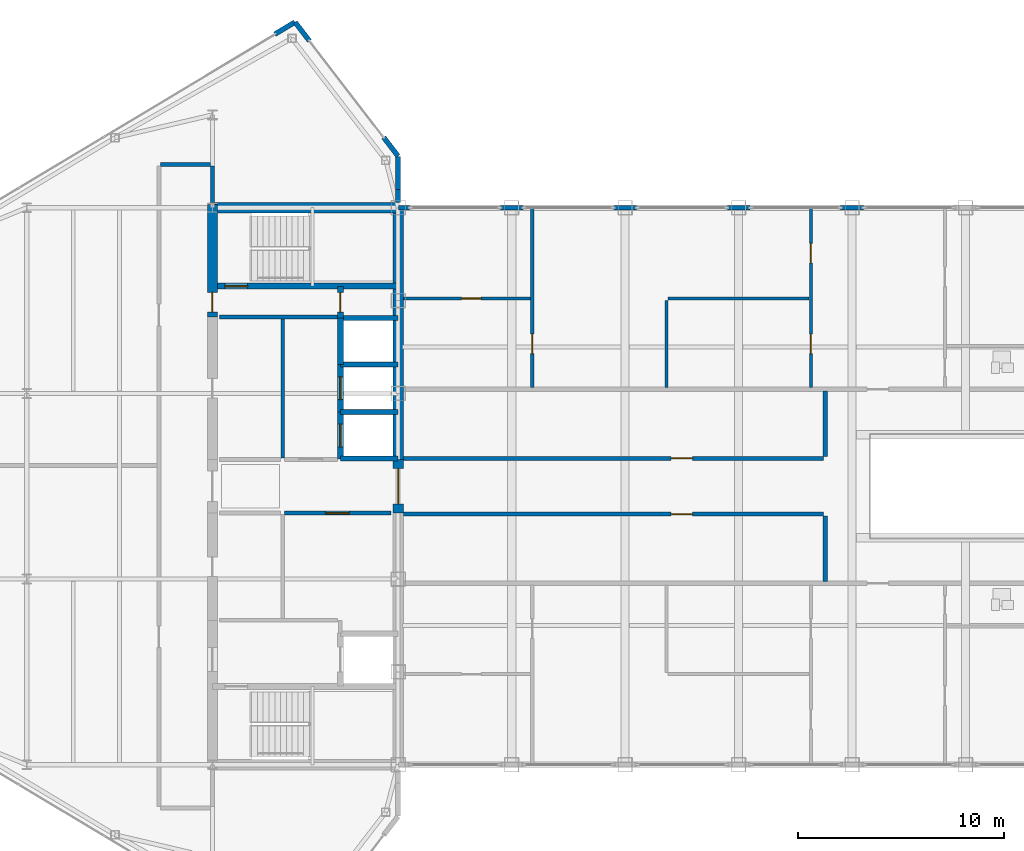
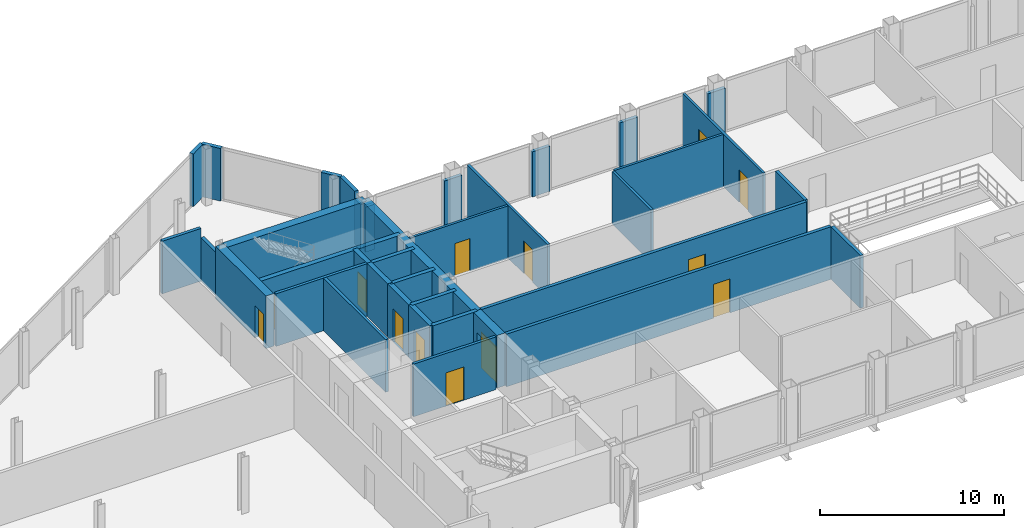
# One storey, part 22 of 28: 37 walls, 13 doors, 13 openings.
"""IFC4 building model written with IfcOpenShell, lengths in metres."""

from ifc_helpers import new_model, si_unit, direction, frame, frame_2d, origin, place, context, subcontext, project, spatial, rectangle, extrude, source, transform, mapped, material, layer, layer_set, type_object, type_shapes, element, fill, save


model = new_model("IFC4")

# Units and contexts
model_context = context("Model", 3, precision=1e-05, world=origin(), true_north=direction((0.0, 1.0)))
body_context = subcontext(model_context, "Body", "Model", "MODEL_VIEW")
ifc_project = project(units=[si_unit("LENGTHUNIT", "METRE"), si_unit("AREAUNIT", "SQUARE_METRE"), si_unit("VOLUMEUNIT", "CUBIC_METRE"), si_unit("PLANEANGLEUNIT", "RADIAN"), si_unit("MASSUNIT", "GRAM", prefix="KILO")], contexts=[model_context])

# Site, building, storey
site_placement = place(None, origin())
site = spatial("IfcSite", under=ifc_project, at=site_placement, CompositionType="ELEMENT")
building_placement = place(site_placement, origin())
building = spatial("IfcBuilding", under=site, at=building_placement, Name="Seokmaru Belvedere", CompositionType="ELEMENT")
storey_placement = place(building_placement, frame((0.0, 0.0, 265.64990234375)))
storey = spatial("IfcBuildingStorey", under=building, at=storey_placement, Name="L70", CompositionType="ELEMENT", Elevation=265.64990234375)

# Wall, opening, door
ifc_material_1 = material(Name="Fire-Rated Gypsum Shaftwall")
ifc_layer_1 = layer(ifc_material_1, 0.14990234375)
ifc_layer_set_1 = layer_set([ifc_layer_1], Name="Fire-Rated Gypsum Shaftwall")
wall_type_1 = type_object("IfcWallType", Name="Apartment Fire-Acoustic Room Partition 150", PredefinedType="PARTITIONING", material=ifc_layer_set_1)
wall_1_placement = place(storey_placement, frame((-27.2451171875, 9.10009765625, 0.0), z_axis=(0.0, 0.0, 1.0), x_axis=(1.0, 0.0, 0.0)))
wall_1 = element("IfcWall", 1, at=wall_1_placement, inside=storey, type_object=wall_type_1, Name="L70 Interior Partition 021", PredefinedType="PARTITIONING", context=body_context, shape_type="SweptSolid", body=[
    extrude(rectangle(XDim=6.16015625, YDim=0.14990234375, at=frame_2d((3.080078125, 0.0))), origin(), (0.0, 0.0, 1.0), 3.489990234375),
])
opening_1_placement = place(wall_1_placement, frame((2.820068359375, 0.0, 0.0)))
opening_1 = element("IfcOpeningElement", 2, at=opening_1_placement, cuts=wall_1, Name="Opening D05", PredefinedType="OPENING", context=body_context, shape_type="SweptSolid", body=[
    extrude(rectangle(XDim=0.949951171875, YDim=2.14990234375, at=frame_2d((0.47509765625, 1.074951171875))), frame((0.0, 0.0849609375, 0.0), z_axis=(0.0, -1.0, 0.0), x_axis=(1.0, 0.0, 0.0)), (0.0, 0.0, 1.0), 0.169921875),
])
ifc_material_2 = material(Name="Engineered White Oak Timber", Category="wood")
door_type_1 = type_object("IfcDoorType", Name="Apartment Interior Fire-Rated Oak Door 950x2150", OperationType="NOTDEFINED", PredefinedType="DOOR", material=ifc_material_2)
shared_shape_1 = source(origin(), body_context, "Body", "SweptSolid", [
    extrude(rectangle(XDim=0.949951171875, YDim=2.14990234375, at=frame_2d((0.47509765625, 1.074951171875))), frame((0.0, 0.02490234375, 0.0), z_axis=(0.0, -1.0, 0.0), x_axis=(1.0, 0.0, 0.0)), (0.0, 0.0, 1.0), 0.050048828125),
])
type_shapes(door_type_1, [shared_shape_1])
door_1_placement = place(opening_1_placement, origin())
door_1 = element("IfcDoor", 3, at=door_1_placement, inside=storey, type_object=door_type_1, Name="L70 Interior Door 035", OperationType="SINGLE_SWING_RIGHT", OverallHeight=2.14990234375, OverallWidth=0.949951171875, PredefinedType="DOOR", context=body_context, shape_type="MappedRepresentation", body=[
    mapped(shared_shape_1, transform((0.0, 0.0, 0.0), scale=1.0)),
])
fill(opening_1, door_1)

# Wall
wall_2_placement = place(storey_placement, frame((-14.4150390625, 9.10009765625, 0.0), z_axis=(0.0, 0.0, 1.0), x_axis=(1.0, 0.0, 0.0)))
element("IfcWall", 4, at=wall_2_placement, inside=storey, type_object=wall_type_1, Name="L70 Interior Partition 022", PredefinedType="PARTITIONING", context=body_context, shape_type="SweptSolid", body=[
    extrude(rectangle(XDim=6.830078125, YDim=0.14990234375, at=frame_2d((3.4150390625, 0.0))), origin(), (0.0, 0.0, 1.0), 3.489990234375),
])

# Wall, opening, door
wall_3_placement = place(storey_placement, frame((-21.0, 4.784912109375, 0.0), z_axis=(0.0, 0.0, 1.0), x_axis=(0.0, 1.0, 0.0)))
wall_3 = element("IfcWall", 5, at=wall_3_placement, inside=storey, type_object=wall_type_1, Name="L70 Interior Partition 030", PredefinedType="PARTITIONING", context=body_context, shape_type="SweptSolid", body=[
    extrude(rectangle(XDim=8.715087890625, YDim=0.14990234375, at=frame_2d((4.357421875, 0.0))), origin(), (0.0, 0.0, 1.0), 3.489990234375),
])
opening_2_placement = place(wall_3_placement, frame((1.639892578125, 0.0, 0.0)))
opening_2 = element("IfcOpeningElement", 6, at=opening_2_placement, cuts=wall_3, Name="Opening D05", PredefinedType="OPENING", context=body_context, shape_type="SweptSolid", body=[
    extrude(rectangle(XDim=0.949951171875, YDim=2.14990234375, at=frame_2d((0.47509765625, 1.074951171875))), frame((0.0, 0.0849609375, 0.0), z_axis=(0.0, -1.0, 0.0), x_axis=(1.0, 0.0, 0.0)), (0.0, 0.0, 1.0), 0.169921875),
])
door_2_placement = place(opening_2_placement, origin())
door_2 = element("IfcDoor", 7, at=door_2_placement, inside=storey, type_object=door_type_1, Name="L70 Interior Door 034", OperationType="SINGLE_SWING_LEFT", OverallHeight=2.14990234375, OverallWidth=0.949951171875, PredefinedType="DOOR", context=body_context, shape_type="MappedRepresentation", body=[
    mapped(shared_shape_1, transform((0.0, 0.0, 0.0), scale=1.0)),
])
fill(opening_2, door_2)

# Wall
wall_4_placement = place(storey_placement, frame((-14.5, 4.784912109375, 0.0), z_axis=(0.0, 0.0, 1.0), x_axis=(0.0, 1.0, 0.0)))
element("IfcWall", 8, at=wall_4_placement, inside=storey, type_object=wall_type_1, Name="L70 Interior Partition 032", PredefinedType="PARTITIONING", context=body_context, shape_type="SweptSolid", body=[
    extrude(rectangle(XDim=4.22998046875, YDim=0.14990234375, at=frame_2d((2.114990234375, 0.0))), origin(), (0.0, 0.0, 1.0), 3.489990234375),
])

# Wall, openings, doors
wall_5_placement = place(storey_placement, frame((-7.5, 4.784912109375, 0.0), z_axis=(0.0, 0.0, 1.0), x_axis=(0.0, 1.0, 0.0)))
wall_5 = element("IfcWall", 9, at=wall_5_placement, inside=storey, type_object=wall_type_1, Name="L70 Interior Partition 034", PredefinedType="PARTITIONING", context=body_context, shape_type="SweptSolid", body=[
    extrude(rectangle(XDim=8.715087890625, YDim=0.14990234375, at=frame_2d((4.357421875, 0.0))), origin(), (0.0, 0.0, 1.0), 3.489990234375),
])
opening_3_placement = place(wall_5_placement, frame((1.639892578125, 0.0, 0.0)))
opening_3 = element("IfcOpeningElement", 10, at=opening_3_placement, cuts=wall_5, Name="Opening D05", PredefinedType="OPENING", context=body_context, shape_type="SweptSolid", body=[
    extrude(rectangle(XDim=0.949951171875, YDim=2.14990234375, at=frame_2d((0.47509765625, 1.074951171875))), frame((0.0, 0.0849609375, 0.0), z_axis=(0.0, -1.0, 0.0), x_axis=(1.0, 0.0, 0.0)), (0.0, 0.0, 1.0), 0.169921875),
])
opening_4_placement = place(wall_5_placement, frame((6.0400390625, 0.0, 0.0)))
opening_4 = element("IfcOpeningElement", 11, at=opening_4_placement, cuts=wall_5, Name="Opening D05", PredefinedType="OPENING", context=body_context, shape_type="SweptSolid", body=[
    extrude(rectangle(XDim=0.949951171875, YDim=2.14990234375, at=frame_2d((0.47509765625, 1.074951171875))), frame((0.0, 0.0849609375, 0.0), z_axis=(0.0, -1.0, 0.0), x_axis=(1.0, 0.0, 0.0)), (0.0, 0.0, 1.0), 0.169921875),
])
door_3_placement = place(opening_3_placement, origin())
door_3 = element("IfcDoor", 12, at=door_3_placement, inside=storey, type_object=door_type_1, Name="L70 Interior Door 032", OperationType="SINGLE_SWING_LEFT", OverallHeight=2.14990234375, OverallWidth=0.949951171875, PredefinedType="DOOR", context=body_context, shape_type="MappedRepresentation", body=[
    mapped(shared_shape_1, transform((0.0, 0.0, 0.0), scale=1.0)),
])
fill(opening_3, door_3)
door_4_placement = place(opening_4_placement, origin())
door_4 = element("IfcDoor", 13, at=door_4_placement, inside=storey, type_object=door_type_1, Name="L70 Interior Door 033", OperationType="SINGLE_SWING_RIGHT", OverallHeight=2.14990234375, OverallWidth=0.949951171875, PredefinedType="DOOR", context=body_context, shape_type="MappedRepresentation", body=[
    mapped(shared_shape_1, transform((0.0, 0.0, 0.0), scale=1.0)),
])
fill(opening_4, door_4)

# Walls
ifc_material_3 = material(Name="Anodised Bronze Aluminium", Category="aluminium")
ifc_layer_2 = layer(ifc_material_3, 0.2099609375)
ifc_layer_set_2 = layer_set([ifc_layer_2], Name="Anodised Bronze Aluminium")
wall_type_2 = type_object("IfcWallType", Name="Bridge Column Spandrel Closure Pier 210", PredefinedType="SOLIDWALL", material=ifc_layer_set_2)
wall_6_placement = place(storey_placement, frame((-27.489990234375, 13.5, 0.0), z_axis=(0.0, 0.0, 1.0), x_axis=(1.0, 0.0, 0.0)))
element("IfcWall", 14, at=wall_6_placement, inside=storey, type_object=wall_type_2, Name="L70 Bridge North Column Closure Pier 01", PredefinedType="SOLIDWALL", context=body_context, shape_type="SweptSolid", body=[
    extrude(rectangle(XDim=0.5400390625, YDim=0.2099609375, at=frame_2d((0.27001953125, 0.0))), origin(), (0.0, 0.0, 1.0), 2.989990234375),
])
for number, where, z_axis, x_axis, name in (
    (15, (-22.550048828125, 13.5, 0.0), (0.0, 0.0, 1.0), (1.0, 0.0, 0.0), "L70 Bridge North Column Closure Pier 02"),
    (16, (-17.050048828125, 13.5, 0.0), (0.0, 0.0, 1.0), (1.0, 0.0, 0.0), "L70 Bridge North Column Closure Pier 03"),
    (17, (-11.550048828125, 13.5, 0.0), (0.0, 0.0, 1.0), (1.0, 0.0, 0.0), "L70 Bridge North Column Closure Pier 04"),
    (18, (-6.050048828125, 13.5, 0.0), (0.0, 0.0, 1.0), (1.0, 0.0, 0.0), "L70 Bridge North Column Closure Pier 05"),
):
    element("IfcWall", number, at=place(storey_placement, frame(where, z_axis=z_axis, x_axis=x_axis)), inside=storey, type_object=wall_type_2, Name=name, PredefinedType="SOLIDWALL", context=body_context, shape_type="SweptSolid", body=[
        extrude(rectangle(XDim=1.10009765625, YDim=0.2099609375, at=frame_2d((0.550048828125, 0.0))), origin(), (0.0, 0.0, 1.0), 2.989990234375),
    ])
ifc_layer_3 = layer(ifc_material_1, 0.179931640625)
ifc_layer_set_3 = layer_set([ifc_layer_3], Name="Fire-Rated Gypsum Shaftwall")
wall_type_3 = type_object("IfcWallType", Name="Core Service Fire Partition 180", PredefinedType="PARTITIONING", material=ifc_layer_set_3)
wall_7_placement = place(storey_placement, frame((-36.14990234375, 8.199951171875, 0.0), z_axis=(0.0, 0.0, 1.0), x_axis=(1.0, 0.0, 0.0)))
element("IfcWall", 19, at=wall_7_placement, inside=storey, type_object=wall_type_3, Name="L70 West Smokeproof Vestibule Partition", PredefinedType="PARTITIONING", context=body_context, shape_type="SweptSolid", body=[
    extrude(rectangle(XDim=5.699951171875, YDim=0.179931640625, at=frame_2d((2.85009765625, 0.0))), origin(), (0.0, 0.0, 1.0), 3.489990234375),
])
wall_8_placement = place(storey_placement, frame((-33.10009765625, 1.3798828125, 0.0), z_axis=(0.0, 0.0, 1.0), x_axis=(0.0, 1.0, 0.0)))
element("IfcWall", 20, at=wall_8_placement, inside=storey, type_object=wall_type_3, Name="L70 West North Core Service Back Wall", PredefinedType="PARTITIONING", context=body_context, shape_type="SweptSolid", body=[
    extrude(rectangle(XDim=6.740234375, YDim=0.179931640625, at=frame_2d((3.3701171875, 0.0))), origin(), (0.0, 0.0, 1.0), 3.489990234375),
])

# Wall, opening, door
wall_9_placement = place(storey_placement, frame((-33.02001953125, -1.300048828125, 0.0), z_axis=(0.0, 0.0, 1.0), x_axis=(1.0, 0.0, 0.0)))
wall_9 = element("IfcWall", 21, at=wall_9_placement, inside=storey, type_object=wall_type_3, Name="L70 West South Lift Lobby Foyer Wall", PredefinedType="PARTITIONING", context=body_context, shape_type="SweptSolid", body=[
    extrude(rectangle(XDim=5.169921875, YDim=0.179931640625, at=frame_2d((2.5849609375, 0.0))), origin(), (0.0, 0.0, 1.0), 3.489990234375),
])
opening_5_placement = place(wall_9_placement, frame((2.010009765625, 0.0, 0.0)))
opening_5 = element("IfcOpeningElement", 22, at=opening_5_placement, cuts=wall_9, Name="Opening D02", PredefinedType="OPENING", context=body_context, shape_type="SweptSolid", body=[
    extrude(rectangle(XDim=1.14990234375, YDim=2.199951171875, at=frame_2d((0.574951171875, 1.10009765625))), frame((0.0, 0.10009765625, 0.0), z_axis=(0.0, -1.0, 0.0), x_axis=(1.0, 0.0, 0.0)), (0.0, 0.0, 1.0), 0.199951171875),
])
ifc_material_4 = material(Name="Fire-Rated Steel Leaf", Category="steel")
door_type_2 = type_object("IfcDoorType", Name="Lobby and Vestibule Fire Door 1150x2200", OperationType="NOTDEFINED", PredefinedType="DOOR", material=ifc_material_4)
shared_shape_2 = source(origin(), body_context, "Body", "SweptSolid", [
    extrude(rectangle(XDim=1.14990234375, YDim=2.199951171875, at=frame_2d((0.574951171875, 1.10009765625))), frame((0.0, 0.02490234375, 0.0), z_axis=(0.0, -1.0, 0.0), x_axis=(1.0, 0.0, 0.0)), (0.0, 0.0, 1.0), 0.050048828125),
])
type_shapes(door_type_2, [shared_shape_2])
door_5_placement = place(opening_5_placement, origin())
door_5 = element("IfcDoor", 23, at=door_5_placement, inside=storey, type_object=door_type_2, Name="L70 West South Core Foyer Door", OperationType="SINGLE_SWING_LEFT", OverallHeight=2.199951171875, OverallWidth=1.14990234375, PredefinedType="DOOR", context=body_context, shape_type="MappedRepresentation", body=[
    mapped(shared_shape_2, transform((0.0, 0.0, 0.0), scale=1.0)),
])
fill(opening_5, door_5)

# Walls
ifc_material_5 = material(Name="Concrete C50 (50 MPa)", Category="concrete")
ifc_layer_4 = layer(ifc_material_5, 0.25)
ifc_layer_set_4 = layer_set([ifc_layer_4], Name="Concrete C50 (50 MPa)")
wall_type_4 = type_object("IfcWallType", Name="Hoistway Transverse Concrete Divider Wall 250", PredefinedType="SHEAR", material=ifc_layer_set_4)
for number, where, z_axis, x_axis, name in (
    (24, (-30.300048828125, 1.35009765625, 0.0), (0.0, 0.0, 1.0), (1.0, 0.0, 0.0), "L70 West Hoistway Divider Core Wall 2"),
    (25, (-30.300048828125, 3.60009765625, 0.0), (0.0, 0.0, 1.0), (1.0, 0.0, 0.0), "L70 West Hoistway Divider Core Wall 3"),
    (26, (-30.300048828125, 5.89990234375, 0.0), (0.0, 0.0, 1.0), (1.0, 0.0, 0.0), "L70 West Hoistway Divider Core Wall 4"),
    (27, (-30.300048828125, 8.14990234375, 0.0), (0.0, 0.0, 1.0), (1.0, 0.0, 0.0), "L70 West Hoistway Divider Core Wall 5"),
):
    element("IfcWall", number, at=place(storey_placement, frame(where, z_axis=z_axis, x_axis=x_axis)), inside=storey, type_object=wall_type_4, Name=name, PredefinedType="SHEAR", context=body_context, shape_type="SweptSolid", body=[
        extrude(rectangle(XDim=2.800048828125, YDim=0.25, at=frame_2d((1.39990234375, 0.0))), origin(), (0.0, 0.0, 1.0), 3.489990234375),
    ])

# Wall, opening, door
ifc_layer_5 = layer(ifc_material_1, 0.199951171875)
ifc_layer_set_5 = layer_set([ifc_layer_5], Name="Fire-Rated Gypsum Shaftwall")
wall_type_5 = type_object("IfcWallType", Name="Inter-Tenancy Fire Compartment Partition 200", PredefinedType="PARTITIONING", material=ifc_layer_set_5)
wall_10_placement = place(storey_placement, frame((-27.2451171875, -1.35009765625, 0.0), z_axis=(0.0, 0.0, 1.0), x_axis=(1.0, 0.0, 0.0)))
wall_10 = element("IfcWall", 28, at=wall_10_placement, inside=storey, type_object=wall_type_5, Name="L70 Interior Partition 011", PredefinedType="PARTITIONING", context=body_context, shape_type="SweptSolid", body=[
    extrude(rectangle(XDim=20.360107421875, YDim=0.199951171875, at=frame_2d((10.18017578125, 0.0))), origin(), (0.0, 0.0, 1.0), 3.489990234375),
])
opening_6_placement = place(wall_10_placement, frame((12.969970703125, 0.0, 0.0)))
opening_6 = element("IfcOpeningElement", 29, at=opening_6_placement, cuts=wall_10, Name="Opening D03", PredefinedType="OPENING", context=body_context, shape_type="SweptSolid", body=[
    extrude(rectangle(XDim=1.050048828125, YDim=2.25, at=frame_2d((0.52490234375, 1.125))), frame((0.0, 0.10986328125, 0.0), z_axis=(0.0, -1.0, 0.0), x_axis=(1.0, 0.0, 0.0)), (0.0, 0.0, 1.0), 0.219970703125),
])
door_type_3 = type_object("IfcDoorType", Name="Apartment Entrance Fire Door 1050x2250", OperationType="NOTDEFINED", PredefinedType="DOOR", material=ifc_material_4)
shared_shape_3 = source(origin(), body_context, "Body", "SweptSolid", [
    extrude(rectangle(XDim=1.050048828125, YDim=2.25, at=frame_2d((0.52490234375, 1.125))), frame((0.0, 0.02490234375, 0.0), z_axis=(0.0, -1.0, 0.0), x_axis=(1.0, 0.0, 0.0)), (0.0, 0.0, 1.0), 0.050048828125),
])
type_shapes(door_type_3, [shared_shape_3])
door_6_placement = place(opening_6_placement, origin())
door_6 = element("IfcDoor", 30, at=door_6_placement, inside=storey, type_object=door_type_3, Name="L70 Interior Door 014", OperationType="SINGLE_SWING_LEFT", OverallHeight=2.25, OverallWidth=1.050048828125, PredefinedType="DOOR", context=body_context, shape_type="MappedRepresentation", body=[
    mapped(shared_shape_3, transform((0.0, 0.0, 0.0), scale=1.0)),
])
fill(opening_6, door_6)

wall_11_placement = place(storey_placement, frame((-27.2451171875, 1.35009765625, 0.0), z_axis=(0.0, 0.0, 1.0), x_axis=(1.0, 0.0, 0.0)))
wall_11 = element("IfcWall", 31, at=wall_11_placement, inside=storey, type_object=wall_type_5, Name="L70 Interior Partition 016", PredefinedType="PARTITIONING", context=body_context, shape_type="SweptSolid", body=[
    extrude(rectangle(XDim=20.360107421875, YDim=0.199951171875, at=frame_2d((10.18017578125, 0.0))), origin(), (0.0, 0.0, 1.0), 3.489990234375),
])
opening_7_placement = place(wall_11_placement, frame((12.969970703125, 0.0, 0.0)))
opening_7 = element("IfcOpeningElement", 32, at=opening_7_placement, cuts=wall_11, Name="Opening D03", PredefinedType="OPENING", context=body_context, shape_type="SweptSolid", body=[
    extrude(rectangle(XDim=1.050048828125, YDim=2.25, at=frame_2d((0.52490234375, 1.125))), frame((0.0, 0.10986328125, 0.0), z_axis=(0.0, -1.0, 0.0), x_axis=(1.0, 0.0, 0.0)), (0.0, 0.0, 1.0), 0.219970703125),
])
door_7_placement = place(opening_7_placement, origin())
door_7 = element("IfcDoor", 33, at=door_7_placement, inside=storey, type_object=door_type_3, Name="L70 Interior Door 016", OperationType="SINGLE_SWING_RIGHT", OverallHeight=2.25, OverallWidth=1.050048828125, PredefinedType="DOOR", context=body_context, shape_type="MappedRepresentation", body=[
    mapped(shared_shape_3, transform((0.0, 0.0, 0.0), scale=1.0)),
])
fill(opening_7, door_7)

# Walls
wall_12_placement = place(storey_placement, frame((-39.014892578125, 15.60009765625, 0.0), z_axis=(0.0, 0.0, 1.0), x_axis=(1.0, 0.0, 0.0)))
element("IfcWall", 34, at=wall_12_placement, inside=storey, type_object=wall_type_5, Name="L70 Interior Partition 024", PredefinedType="PARTITIONING", context=body_context, shape_type="SweptSolid", body=[
    extrude(rectangle(XDim=2.429931640625, YDim=0.199951171875, at=frame_2d((1.21484375, 0.0))), origin(), (0.0, 0.0, 1.0), 3.489990234375),
])
wall_13_placement = place(storey_placement, frame((-36.5, 13.7548828125, 0.0), z_axis=(0.0, 0.0, 1.0), x_axis=(0.0, 1.0, 0.0)))
element("IfcWall", 35, at=wall_13_placement, inside=storey, type_object=wall_type_5, Name="L70 Interior Partition 028", PredefinedType="PARTITIONING", context=body_context, shape_type="SweptSolid", body=[
    extrude(rectangle(XDim=1.760009765625, YDim=0.199951171875, at=frame_2d((0.8798828125, 0.0))), origin(), (0.0, 0.0, 1.0), 2.89013671875),
])
for number, where, z_axis, x_axis, name in (
    (36, (-6.800048828125, -4.614990234375, 0.0), (0.0, 0.0, 1.0), (0.0, 1.0, 0.0), "L70 Interior Partition 035"),
    (37, (-6.800048828125, 1.43505859375, 0.0), (0.0, 0.0, 1.0), (0.0, 1.0, 0.0), "L70 Interior Partition 036"),
):
    element("IfcWall", number, at=place(storey_placement, frame(where, z_axis=z_axis, x_axis=x_axis)), inside=storey, type_object=wall_type_5, Name=name, PredefinedType="PARTITIONING", context=body_context, shape_type="SweptSolid", body=[
        extrude(rectangle(XDim=3.179931640625, YDim=0.199951171875, at=frame_2d((1.58984375, 0.0))), origin(), (0.0, 0.0, 1.0), 3.489990234375),
    ])

# Wall, opening, door
ifc_layer_6 = layer(ifc_material_5, 0.300048828125)
ifc_layer_set_6 = layer_set([ifc_layer_6], Name="Concrete C50 (50 MPa)")
wall_type_6 = type_object("IfcWallType", Name="Internal Core Stair and Hoistway Wall 300", PredefinedType="SHEAR", material=ifc_layer_set_6)
wall_14_placement = place(storey_placement, frame((-36.5, 9.699951171875, 0.0), z_axis=(0.0, 0.0, 1.0), x_axis=(1.0, 0.0, 0.0)))
wall_14 = element("IfcWall", 38, at=wall_14_placement, inside=storey, type_object=wall_type_6, Name="L70 West Stair ST-2 Enclosure Wall", PredefinedType="SHEAR", context=body_context, shape_type="SweptSolid", body=[
    extrude(rectangle(XDim=9.0, YDim=0.300048828125, at=frame_2d((4.5, 0.0))), origin(), (0.0, 0.0, 1.0), 3.489990234375),
])
opening_8_placement = place(wall_14_placement, frame((0.60009765625, 0.0, 0.0)))
opening_8 = element("IfcOpeningElement", 39, at=opening_8_placement, cuts=wall_14, Name="Opening D01", PredefinedType="OPENING", context=body_context, shape_type="SweptSolid", body=[
    extrude(rectangle(XDim=1.10009765625, YDim=2.199951171875, at=frame_2d((0.550048828125, 1.10009765625))), frame((0.0, 0.16015625, 0.0), z_axis=(0.0, -1.0, 0.0), x_axis=(1.0, 0.0, 0.0)), (0.0, 0.0, 1.0), 0.320068359375),
])
door_type_4 = type_object("IfcDoorType", Name="Special Escape Stair Smokeproof Fire Door 1100x2200", OperationType="NOTDEFINED", PredefinedType="DOOR", material=ifc_material_4)
shared_shape_4 = source(origin(), body_context, "Body", "SweptSolid", [
    extrude(rectangle(XDim=1.10009765625, YDim=2.199951171875, at=frame_2d((0.550048828125, 1.10009765625))), frame((0.0, 0.02490234375, 0.0), z_axis=(0.0, -1.0, 0.0), x_axis=(1.0, 0.0, 0.0)), (0.0, 0.0, 1.0), 0.050048828125),
])
type_shapes(door_type_4, [shared_shape_4])
door_8_placement = place(opening_8_placement, origin())
door_8 = element("IfcDoor", 40, at=door_8_placement, inside=storey, type_object=door_type_4, Name="L70 West Special Escape Stair ST-2 Door", OperationType="SINGLE_SWING_RIGHT", OverallHeight=2.199951171875, OverallWidth=1.10009765625, PredefinedType="DOOR", context=body_context, shape_type="MappedRepresentation", body=[
    mapped(shared_shape_4, transform((0.0, 0.0, 0.0), scale=1.0)),
])
fill(opening_8, door_8)

wall_15_placement = place(storey_placement, frame((-30.300048828125, 1.320068359375, 0.0), z_axis=(0.0, 0.0, 1.0), x_axis=(0.0, 1.0, 0.0)))
wall_15 = element("IfcWall", 41, at=wall_15_placement, inside=storey, type_object=wall_type_6, Name="L70 West North Hoistway Wall PH1", PredefinedType="SHEAR", context=body_context, shape_type="SweptSolid", body=[
    extrude(rectangle(XDim=2.280029296875, YDim=0.300048828125, at=frame_2d((1.14013671875, 0.0))), origin(), (0.0, 0.0, 1.0), 3.489990234375),
])
opening_9_placement = place(wall_15_placement, frame((0.590087890625, 0.0, 0.0)))
opening_9 = element("IfcOpeningElement", 42, at=opening_9_placement, cuts=wall_15, Name="Opening LD1", PredefinedType="OPENING", context=body_context, shape_type="SweptSolid", body=[
    extrude(rectangle(XDim=1.10009765625, YDim=2.199951171875, at=frame_2d((0.550048828125, 1.10009765625))), frame((0.0, 0.16015625, 0.0), z_axis=(0.0, -1.0, 0.0), x_axis=(1.0, 0.0, 0.0)), (0.0, 0.0, 1.0), 0.320068359375),
])
ifc_material_6 = material(Name="Stainless Steel 316", Category="steel")
door_type_5 = type_object("IfcDoorType", Name="Passenger Lift Sliding Landing Door 1100x2200", OperationType="DOUBLE_DOOR_SLIDING", PredefinedType="DOOR", material=ifc_material_6)
shared_shape_5 = source(origin(), body_context, "Body", "SweptSolid", [
    extrude(rectangle(XDim=1.10009765625, YDim=2.199951171875, at=frame_2d((0.550048828125, 1.10009765625))), frame((0.0, 0.02490234375, 0.0), z_axis=(0.0, -1.0, 0.0), x_axis=(1.0, 0.0, 0.0)), (0.0, 0.0, 1.0), 0.050048828125),
])
type_shapes(door_type_5, [shared_shape_5])
door_9_placement = place(opening_9_placement, origin())
door_9 = element("IfcDoor", 43, at=door_9_placement, inside=storey, type_object=door_type_5, Name="L70 West High-Rise Lift PH-1 Landing Door", OperationType="DOUBLE_DOOR_SLIDING", OverallHeight=2.199951171875, OverallWidth=1.10009765625, PredefinedType="DOOR", context=body_context, shape_type="MappedRepresentation", body=[
    mapped(shared_shape_5, transform((0.0, 0.0, 0.0), scale=1.0)),
])
fill(opening_9, door_9)

wall_16_placement = place(storey_placement, frame((-30.300048828125, 3.60009765625, 0.0), z_axis=(0.0, 0.0, 1.0), x_axis=(0.0, 1.0, 0.0)))
wall_16 = element("IfcWall", 44, at=wall_16_placement, inside=storey, type_object=wall_type_6, Name="L70 West North Hoistway Wall PH2", PredefinedType="SHEAR", context=body_context, shape_type="SweptSolid", body=[
    extrude(rectangle(XDim=2.2998046875, YDim=0.300048828125, at=frame_2d((1.14990234375, 0.0))), origin(), (0.0, 0.0, 1.0), 3.489990234375),
])
opening_10_placement = place(wall_16_placement, frame((0.60009765625, 0.0, 0.0)))
opening_10 = element("IfcOpeningElement", 45, at=opening_10_placement, cuts=wall_16, Name="Opening LD1", PredefinedType="OPENING", context=body_context, shape_type="SweptSolid", body=[
    extrude(rectangle(XDim=1.10009765625, YDim=2.199951171875, at=frame_2d((0.550048828125, 1.10009765625))), frame((0.0, 0.16015625, 0.0), z_axis=(0.0, -1.0, 0.0), x_axis=(1.0, 0.0, 0.0)), (0.0, 0.0, 1.0), 0.320068359375),
])
door_10_placement = place(opening_10_placement, origin())
door_10 = element("IfcDoor", 46, at=door_10_placement, inside=storey, type_object=door_type_5, Name="L70 West High-Rise Lift PH-2 Landing Door", OperationType="DOUBLE_DOOR_SLIDING", OverallHeight=2.199951171875, OverallWidth=1.10009765625, PredefinedType="DOOR", context=body_context, shape_type="MappedRepresentation", body=[
    mapped(shared_shape_5, transform((0.0, 0.0, 0.0), scale=1.0)),
])
fill(opening_10, door_10)

# Wall
wall_17_placement = place(storey_placement, frame((-30.300048828125, 5.89990234375, 0.0), z_axis=(0.0, 0.0, 1.0), x_axis=(0.0, 1.0, 0.0)))
element("IfcWall", 47, at=wall_17_placement, inside=storey, type_object=wall_type_6, Name="L70 West North Hoistway Wall OBS", PredefinedType="SHEAR", context=body_context, shape_type="SweptSolid", body=[
    extrude(rectangle(XDim=2.25, YDim=0.300048828125, at=frame_2d((1.125, 0.0))), origin(), (0.0, 0.0, 1.0), 3.489990234375),
])

# Wall, opening, door
wall_18_placement = place(storey_placement, frame((-30.300048828125, 8.14990234375, 0.0), z_axis=(0.0, 0.0, 1.0), x_axis=(0.0, 1.0, 0.0)))
wall_18 = element("IfcWall", 48, at=wall_18_placement, inside=storey, type_object=wall_type_6, Name="L70 West Electrical Riser Front Wall", PredefinedType="SHEAR", context=body_context, shape_type="SweptSolid", body=[
    extrude(rectangle(XDim=1.530029296875, YDim=0.300048828125, at=frame_2d((0.76513671875, 0.0))), origin(), (0.0, 0.0, 1.0), 3.489990234375),
])
opening_11_placement = place(wall_18_placement, frame((0.284912109375, 0.0, 0.0)))
opening_11 = element("IfcOpeningElement", 49, at=opening_11_placement, cuts=wall_18, Name="Opening D04", PredefinedType="OPENING", context=body_context, shape_type="SweptSolid", body=[
    extrude(rectangle(XDim=0.949951171875, YDim=2.14990234375, at=frame_2d((0.47509765625, 1.074951171875))), frame((0.0, 0.16015625, 0.0), z_axis=(0.0, -1.0, 0.0), x_axis=(1.0, 0.0, 0.0)), (0.0, 0.0, 1.0), 0.320068359375),
])
door_type_6 = type_object("IfcDoorType", Name="Core Service Room Fire Door 950x2150", OperationType="NOTDEFINED", PredefinedType="DOOR", material=ifc_material_4)
shared_shape_6 = source(origin(), body_context, "Body", "SweptSolid", [
    extrude(rectangle(XDim=0.949951171875, YDim=2.14990234375, at=frame_2d((0.47509765625, 1.074951171875))), frame((0.0, 0.02490234375, 0.0), z_axis=(0.0, -1.0, 0.0), x_axis=(1.0, 0.0, 0.0)), (0.0, 0.0, 1.0), 0.050048828125),
])
type_shapes(door_type_6, [shared_shape_6])
door_11_placement = place(opening_11_placement, origin())
door_11 = element("IfcDoor", 50, at=door_11_placement, inside=storey, type_object=door_type_6, Name="L70 West Electrical Riser Access Door", OperationType="SINGLE_SWING_LEFT", OverallHeight=2.14990234375, OverallWidth=0.949951171875, PredefinedType="DOOR", context=body_context, shape_type="MappedRepresentation", body=[
    mapped(shared_shape_6, transform((0.0, 0.0, 0.0), scale=1.0)),
])
fill(opening_11, door_11)

# Walls
ifc_layer_7 = layer(ifc_material_3, 0.239990234375)
ifc_layer_set_7 = layer_set([ifc_layer_7], Name="Anodised Bronze Aluminium")
wall_type_7 = type_object("IfcWallType", Name="Tower Corner Spandrel Closure Wall 240", PredefinedType="SOLIDWALL", material=ifc_layer_set_7)
wall_19_placement = place(storey_placement, frame((-27.5, 13.7548828125, 0.0), z_axis=(0.0, 0.0, 1.0), x_axis=(0.0, 1.0, 0.0)))
element("IfcWall", 51, at=wall_19_placement, inside=storey, type_object=wall_type_7, Name="L70 W Shoulder Closure Wall 2", PredefinedType="SOLIDWALL", context=body_context, shape_type="SweptSolid", body=[
    extrude(rectangle(XDim=0.619873046875, YDim=0.239990234375, at=frame_2d((0.31005859375, 0.0))), origin(), (0.0, 0.0, 1.0), 2.989990234375),
])
wall_20_placement = place(storey_placement, frame((-27.5, 14.374755859375, 0.0), z_axis=(0.0, 0.0, 1.0), x_axis=(0.0, 1.0, 0.0)))
element("IfcWall", 52, at=wall_20_placement, inside=storey, type_object=wall_type_7, Name="L70 W Shoulder Closure Wall 2 Part 2", PredefinedType="SOLIDWALL", context=body_context, shape_type="SweptSolid", body=[
    extrude(rectangle(XDim=1.605224609375, YDim=0.239990234375, at=frame_2d((0.802734375, 0.0))), origin(), (0.0, 0.0, 1.0), 3.489990234375),
])
for number, where, z_axis, x_axis, name in (
    (53, (-27.506103515625, 16.0078125, 0.0), (0.0, 0.0, 1.0), (-0.609617623633, 0.792695624408, 0.0), "L70 W Corner Closure Pier 2A"),
    (54, (-31.798828125, 21.58837890625, 0.0), (0.0, 0.0, 1.0), (-0.609617623633, 0.792695624408, 0.0), "L70 W Corner Closure Pier 2B"),
    (55, (-32.508544921875, 22.494873046875, 0.0), (0.0, 0.0, 1.0), (-0.85743623509, -0.514590228002, 0.0), "L70 W Corner Closure Pier 3A"),
):
    element("IfcWall", number, at=place(storey_placement, frame(where, z_axis=z_axis, x_axis=x_axis)), inside=storey, type_object=wall_type_7, Name=name, PredefinedType="SOLIDWALL", context=body_context, shape_type="SweptSolid", body=[
        extrude(rectangle(XDim=1.14013671875, YDim=0.239990234375, at=frame_2d((0.570068359375, 0.0))), origin(), (0.0, 0.0, 1.0), 3.489990234375),
    ])
ifc_layer_8 = layer(ifc_material_5, 0.5)
ifc_layer_set_8 = layer_set([ifc_layer_8], Name="Concrete C50 (50 MPa)")
wall_type_8 = type_object("IfcWallType", Name="Upper Tower Reinforced Concrete Core Wall 500", PredefinedType="SHEAR", material=ifc_layer_set_8)
wall_21_placement = place(storey_placement, frame((-27.5, 1.300048828125, 0.0), z_axis=(0.0, 0.0, 1.0), x_axis=(0.0, 1.0, 0.0)))
element("IfcWall", 56, at=wall_21_placement, inside=storey, type_object=wall_type_8, Name="L70 West Portal Spine Core Wall North", PredefinedType="SHEAR", context=body_context, shape_type="SweptSolid", body=[
    extrude(rectangle(XDim=12.199951171875, YDim=0.5, at=frame_2d((6.10009765625, 0.0))), origin(), (0.0, 0.0, 1.0), 3.489990234375),
])

# Wall, opening, door
wall_22_placement = place(storey_placement, frame((-27.5, -1.300048828125, 0.0), z_axis=(0.0, 0.0, 1.0), x_axis=(0.0, 1.0, 0.0)))
wall_22 = element("IfcWall", 57, at=wall_22_placement, inside=storey, type_object=wall_type_8, Name="L70 West Portal Spine Core Wall Center", PredefinedType="SHEAR", context=body_context, shape_type="SweptSolid", body=[
    extrude(rectangle(XDim=2.60009765625, YDim=0.5, at=frame_2d((1.300048828125, 0.0))), origin(), (0.0, 0.0, 1.0), 3.489990234375),
])
opening_12_placement = place(wall_22_placement, frame((0.449951171875, 0.0, 0.0)))
opening_12 = element("IfcOpeningElement", 58, at=opening_12_placement, cuts=wall_22, Name="Opening D09", PredefinedType="OPENING", context=body_context, shape_type="SweptSolid", body=[
    extrude(rectangle(XDim=1.699951171875, YDim=2.35009765625, at=frame_2d((0.85009765625, 1.175048828125))), frame((0.0, 0.260009765625, 0.0), z_axis=(0.0, -1.0, 0.0), x_axis=(1.0, 0.0, 0.0)), (0.0, 0.0, 1.0), 0.52001953125),
])
door_type_7 = type_object("IfcDoorType", Name="Sky-Gate Bridge Inter-Tower Fire Door 1700x2350", OperationType="DOUBLE_SWING_LEFT", PredefinedType="DOOR", material=ifc_material_4)
shared_shape_7 = source(origin(), body_context, "Body", "SweptSolid", [
    extrude(rectangle(XDim=1.699951171875, YDim=2.35009765625, at=frame_2d((0.85009765625, 1.175048828125))), frame((0.0, 0.02490234375, 0.0), z_axis=(0.0, -1.0, 0.0), x_axis=(1.0, 0.0, 0.0)), (0.0, 0.0, 1.0), 0.050048828125),
])
type_shapes(door_type_7, [shared_shape_7])
door_12_placement = place(opening_12_placement, origin())
door_12 = element("IfcDoor", 59, at=door_12_placement, inside=storey, type_object=door_type_7, Name="L70 West Inter-Tower Fire Door", OperationType="DOUBLE_SWING_LEFT", OverallHeight=2.35009765625, OverallWidth=1.699951171875, PredefinedType="DOOR", context=body_context, shape_type="MappedRepresentation", body=[
    mapped(shared_shape_7, transform((0.0, 0.0, 0.0), scale=1.0)),
])
fill(opening_12, door_12)

# Wall
wall_23_placement = place(storey_placement, frame((-36.5, 13.5, 0.0), z_axis=(0.0, 0.0, 1.0), x_axis=(1.0, 0.0, 0.0)))
element("IfcWall", 60, at=wall_23_placement, inside=storey, type_object=wall_type_8, Name="L70 West North Core Wall", PredefinedType="SHEAR", context=body_context, shape_type="SweptSolid", body=[
    extrude(rectangle(XDim=9.0, YDim=0.5, at=frame_2d((4.5, 0.0))), origin(), (0.0, 0.0, 1.0), 3.489990234375),
])

# Wall, opening, door
wall_24_placement = place(storey_placement, frame((-36.5, 8.199951171875, 0.0), z_axis=(0.0, 0.0, 1.0), x_axis=(0.0, 1.0, 0.0)))
wall_24 = element("IfcWall", 61, at=wall_24_placement, inside=storey, type_object=wall_type_8, Name="L70 West West Core Wall VST", PredefinedType="SHEAR", context=body_context, shape_type="SweptSolid", body=[
    extrude(rectangle(XDim=5.449951171875, YDim=0.5, at=frame_2d((2.72509765625, 0.0))), origin(), (0.0, 0.0, 1.0), 3.489990234375),
])
opening_13_placement = place(wall_24_placement, frame((0.2451171875, 0.0, 0.0)))
opening_13 = element("IfcOpeningElement", 62, at=opening_13_placement, cuts=wall_24, Name="Opening D04", PredefinedType="OPENING", context=body_context, shape_type="SweptSolid", body=[
    extrude(rectangle(XDim=0.949951171875, YDim=2.14990234375, at=frame_2d((0.47509765625, 1.074951171875))), frame((0.0, 0.260009765625, 0.0), z_axis=(0.0, -1.0, 0.0), x_axis=(1.0, 0.0, 0.0)), (0.0, 0.0, 1.0), 0.52001953125),
])
door_13_placement = place(opening_13_placement, frame((0.949951171875, 0.0, 0.0), z_axis=(0.0, 0.0, 1.0), x_axis=(-1.0, 0.0, 0.0)))
door_13 = element("IfcDoor", 63, at=door_13_placement, inside=storey, type_object=door_type_6, Name="L70 West Smokeproof Vestibule Door", OperationType="SINGLE_SWING_RIGHT", OverallHeight=2.14990234375, OverallWidth=0.949951171875, PredefinedType="DOOR", context=body_context, shape_type="MappedRepresentation", body=[
    mapped(shared_shape_6, transform((0.0, 0.0, 0.0), scale=1.0)),
])
fill(opening_13, door_13)

save(model, "model.ifc")
